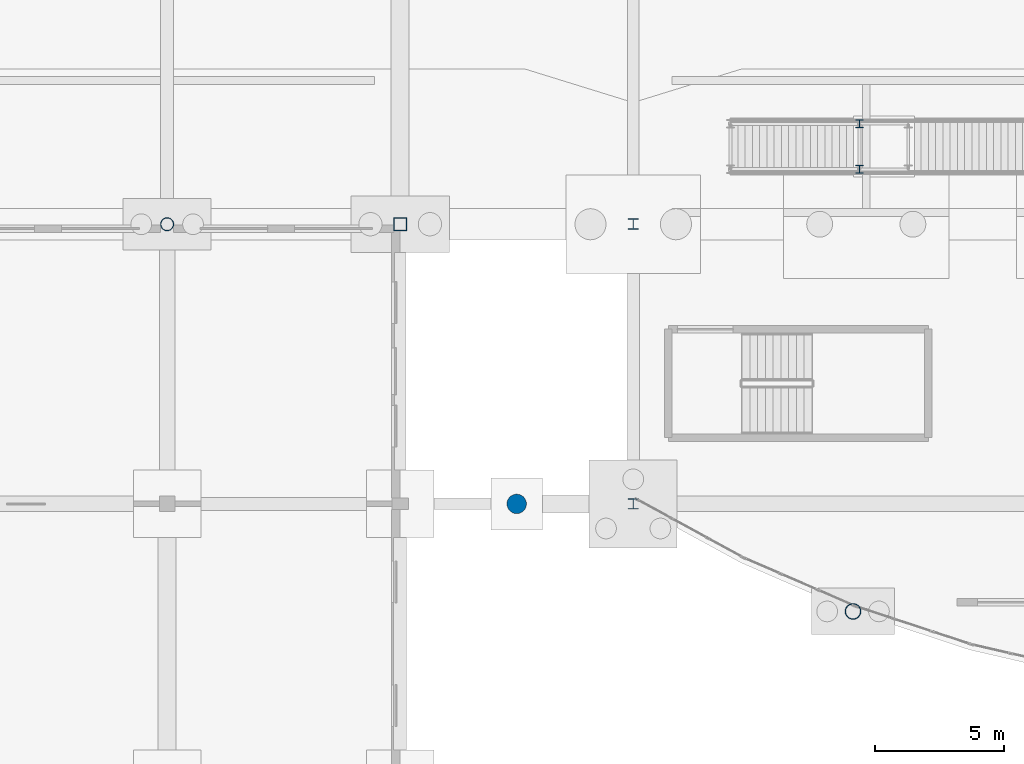
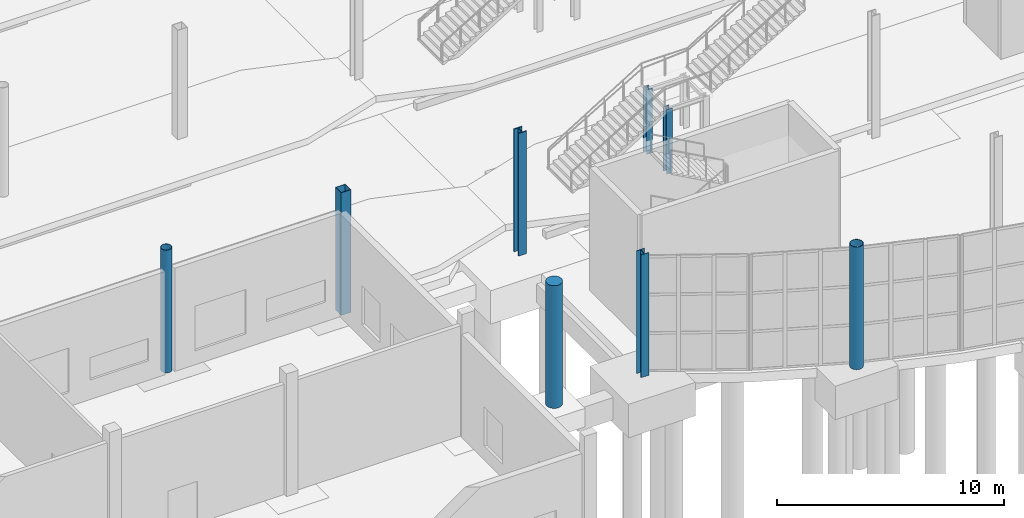
# One storey, part 10 of 115: 8 columns.
"""IFC4 building model written with IfcOpenShell, lengths in metres."""

from ifc_helpers import new_model, si_unit, direction, frame, origin, origin_2d, place, context, subcontext, project, spatial, hollow_rectangle, circle, hollow_circle, i_section, extrude, material, material_profile, profile_set, type_object, element, save


model = new_model("IFC4")

# Units and contexts
model_context = context("Model", 3, precision=1e-05, world=origin(), true_north=direction((0.0, 1.0)))
body_context = subcontext(model_context, "Body", "Model", "MODEL_VIEW")
ifc_project = project(units=[si_unit("LENGTHUNIT", "METRE"), si_unit("AREAUNIT", "SQUARE_METRE"), si_unit("VOLUMEUNIT", "CUBIC_METRE"), si_unit("PLANEANGLEUNIT", "RADIAN"), si_unit("MASSUNIT", "GRAM", prefix="KILO")], contexts=[model_context])

# Site, building, storey
site_placement = place(None, origin())
site = spatial("IfcSite", under=ifc_project, at=site_placement, CompositionType="ELEMENT")
building_placement = place(site_placement, origin())
building = spatial("IfcBuilding", under=site, at=building_placement, Name="Tamarisk Ironworks Central Station", CompositionType="ELEMENT")
storey_placement = place(building_placement, origin())
storey = spatial("IfcBuildingStorey", under=building, at=storey_placement, Name="L00", CompositionType="ELEMENT", Elevation=0.0)

# Columns
ifc_material_1 = material(Name="Concrete C50/60", Category="concrete")
ifc_material_profile_1 = material_profile(ifc_material_1, circle(Radius=0.375, at=origin_2d()), Name="RC D750")
ifc_profile_set_1 = profile_set([ifc_material_profile_1], Name="Concrete C50/60")
column_type_1 = type_object("IfcColumnType", Name="COL-RC05", PredefinedType="COLUMN", material=ifc_profile_set_1)
column_1_placement = place(storey_placement, frame((49.5, 10.800048828125, 0.0), z_axis=(0.0, 0.0, 1.0), x_axis=(1.0, 0.0, 0.0)))
element("IfcColumn", 1, at=column_1_placement, inside=storey, type_object=column_type_1, Name="L00 column CN-S1", PredefinedType="COLUMN", context=body_context, shape_type="SweptSolid", body=[
    extrude(circle(Radius=0.375, at=origin_2d()), origin(), (0.0, 0.0, 1.0), 6.60009765625),
])
ifc_material_2 = material(Name="Structural steel S355J2", Category="steel")
ifc_material_profile_2 = material_profile(ifc_material_2, i_section(OverallWidth=0.408935546875, OverallDepth=0.425048828125, WebThickness=0.02490234375, FlangeThickness=0.0390625, at=origin_2d()), Name="HD 400x421")
ifc_profile_set_2 = profile_set([ifc_material_profile_2], Name="Structural steel S355J2")
column_type_2 = type_object("IfcColumnType", Name="COL-S01", PredefinedType="COLUMN", material=ifc_profile_set_2)
column_2_placement = place(storey_placement, frame((54.0, 21.60009765625, 0.0), z_axis=(0.0, 0.0, 1.0), x_axis=(1.0, 0.0, 0.0)))
element("IfcColumn", 2, at=column_2_placement, inside=storey, type_object=column_type_2, Name="L00 column V2-07C", PredefinedType="COLUMN", context=body_context, shape_type="SweptSolid", body=[
    extrude(i_section(OverallWidth=0.408935546875, OverallDepth=0.425048828125, WebThickness=0.02490234375, FlangeThickness=0.0390625, at=origin_2d()), origin(), (0.0, 0.0, 1.0), 6.60009765625),
])
ifc_material_profile_3 = material_profile(ifc_material_2, i_section(OverallWidth=0.404052734375, OverallDepth=0.406982421875, WebThickness=0.020751953125, FlangeThickness=0.031982421875, at=origin_2d()), Name="HD 400x347")
ifc_profile_set_3 = profile_set([ifc_material_profile_3], Name="Structural steel S355J2")
column_type_3 = type_object("IfcColumnType", Name="COL-S03", PredefinedType="COLUMN", material=ifc_profile_set_3)
column_3_placement = place(storey_placement, frame((54.0, 10.800048828125, 0.0), z_axis=(0.0, 0.0, 1.0), x_axis=(1.0, 0.0, 0.0)))
element("IfcColumn", 3, at=column_3_placement, inside=storey, type_object=column_type_3, Name="L00 column V2-07B", PredefinedType="COLUMN", context=body_context, shape_type="SweptSolid", body=[
    extrude(i_section(OverallWidth=0.404052734375, OverallDepth=0.406982421875, WebThickness=0.020751953125, FlangeThickness=0.031982421875, at=origin_2d()), origin(), (0.0, 0.0, 1.0), 6.60009765625),
])
ifc_material_profile_4 = material_profile(ifc_material_2, i_section(OverallWidth=0.300048828125, OverallDepth=0.300048828125, WebThickness=0.010986328125, FlangeThickness=0.01904296875, at=origin_2d()), Name="HEB 300")
ifc_profile_set_4 = profile_set([ifc_material_profile_4], Name="Structural steel S355J2")
column_type_4 = type_object("IfcColumnType", Name="COL-S12", PredefinedType="COLUMN", material=ifc_profile_set_4)
for number, where, z_axis, x_axis, name in (
    (4, (62.739990234375, 23.719970703125, 0.0), (0.0, 0.0, 1.0), (1.0, 0.0, 0.0), "ST-P1A mid-landing support column 1"),
    (5, (62.739990234375, 25.47998046875, 0.0), (0.0, 0.0, 1.0), (1.0, 0.0, 0.0), "ST-P1A mid-landing support column 3"),
):
    element("IfcColumn", number, at=place(storey_placement, frame(where, z_axis=z_axis, x_axis=x_axis)), inside=storey, type_object=column_type_4, Name=name, PredefinedType="COLUMN", context=body_context, shape_type="SweptSolid", body=[
        extrude(i_section(OverallWidth=0.300048828125, OverallDepth=0.300048828125, WebThickness=0.010986328125, FlangeThickness=0.01904296875, at=origin_2d()), origin(), (0.0, 0.0, 1.0), 3.469970703125),
    ])
ifc_material_3 = material(Name="Structural steel S355J2H", Category="steel")
ifc_material_profile_5 = material_profile(ifc_material_3, hollow_rectangle(XDim=0.5, YDim=0.5, WallThickness=0.02001953125, at=origin_2d()), Name="SHS 500x500x20")
ifc_profile_set_5 = profile_set([ifc_material_profile_5], Name="Structural steel S355J2H")
column_type_5 = type_object("IfcColumnType", Name="COL-S13", PredefinedType="COLUMN", material=ifc_profile_set_5)
column_4_placement = place(storey_placement, frame((45.0, 21.60009765625, 0.0), z_axis=(0.0, 0.0, 1.0), x_axis=(1.0, 0.0, 0.0)))
element("IfcColumn", 6, at=column_4_placement, inside=storey, type_object=column_type_5, Name="L00 column V1-06C", PredefinedType="COLUMN", context=body_context, shape_type="SweptSolid", body=[
    extrude(hollow_rectangle(XDim=0.5, YDim=0.5, WallThickness=0.02001953125, at=origin_2d()), origin(), (0.0, 0.0, 1.0), 6.60009765625),
])
ifc_material_4 = material(Name="Painted structural steel S355J2", Category="steel")
ifc_material_profile_6 = material_profile(ifc_material_4, hollow_circle(Radius=0.304931640625, WallThickness=0.02001953125, at=origin_2d()), Name="CHS 610x20")
ifc_profile_set_6 = profile_set([ifc_material_profile_6], Name="Painted structural steel S355J2")
column_type_6 = type_object("IfcColumnType", Name="COL-S15", PredefinedType="COLUMN", material=ifc_profile_set_6)
column_5_placement = place(storey_placement, frame((62.48876953125, 6.6474609375, 0.0), z_axis=(0.0, 0.0, 1.0), x_axis=(1.0, 0.0, 0.0)))
element("IfcColumn", 7, at=column_5_placement, inside=storey, type_object=column_type_6, Name="L00 column V2-SN02", PredefinedType="COLUMN", context=body_context, shape_type="SweptSolid", body=[
    extrude(hollow_circle(Radius=0.304931640625, WallThickness=0.02001953125, at=origin_2d()), origin(), (0.0, 0.0, 1.0), 6.60009765625),
])
ifc_material_profile_7 = material_profile(ifc_material_3, hollow_circle(Radius=0.25390625, WallThickness=0.01611328125, at=origin_2d()), Name="CHS 508x16")
ifc_profile_set_7 = profile_set([ifc_material_profile_7], Name="Structural steel S355J2H")
column_type_7 = type_object("IfcColumnType", Name="COL-S16", PredefinedType="COLUMN", material=ifc_profile_set_7)
column_6_placement = place(storey_placement, frame((36.0, 21.60009765625, 0.0), z_axis=(0.0, 0.0, 1.0), x_axis=(1.0, 0.0, 0.0)))
element("IfcColumn", 8, at=column_6_placement, inside=storey, type_object=column_type_7, Name="L00 column V1-05C", PredefinedType="COLUMN", context=body_context, shape_type="SweptSolid", body=[
    extrude(hollow_circle(Radius=0.25390625, WallThickness=0.01611328125, at=origin_2d()), origin(), (0.0, 0.0, 1.0), 6.60009765625),
])

save(model, "model.ifc")
